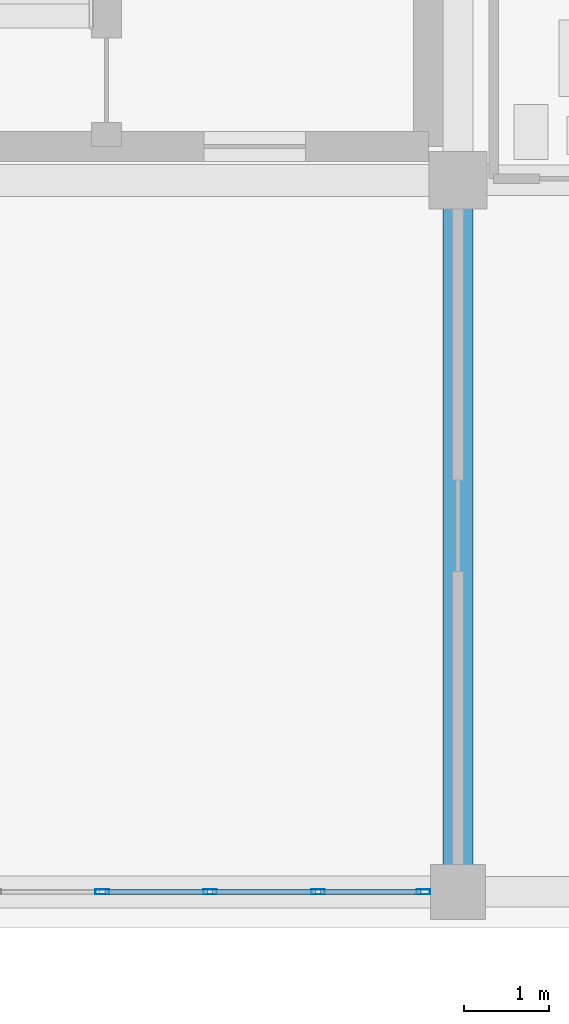
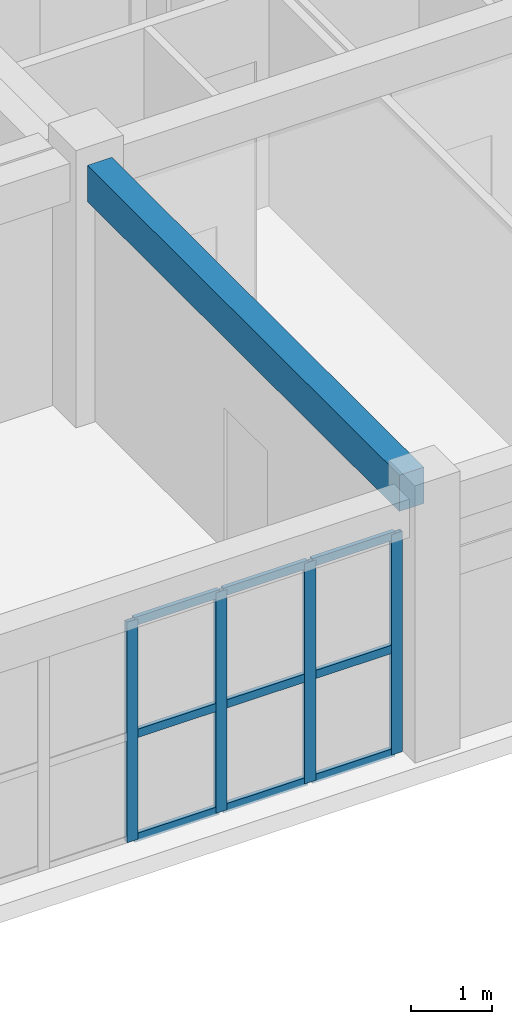
# One storey, part 23 of 90: 13 members, 1 beam, 1 element without a shape of its own.
"""IFC4 building model written with IfcOpenShell, lengths in metres."""

from ifc_helpers import new_model, si_unit, direction, frame, origin, origin_2d, place, context, subcontext, project, spatial, rectangle, hollow_rectangle, extrude, material, layer, layer_set, material_profile, profile_set, type_object, element, aggregate, save


model = new_model("IFC4")

# Units and contexts
model_context = context("Model", 3, precision=1e-05, world=origin(), true_north=direction((0.0, 1.0)))
body_context = subcontext(model_context, "Body", "Model", "MODEL_VIEW")
ifc_project = project(units=[si_unit("LENGTHUNIT", "METRE"), si_unit("AREAUNIT", "SQUARE_METRE"), si_unit("VOLUMEUNIT", "CUBIC_METRE"), si_unit("PLANEANGLEUNIT", "RADIAN"), si_unit("MASSUNIT", "GRAM", prefix="KILO")], contexts=[model_context])

# Site, building, storey
site_placement = place(None, origin())
site = spatial("IfcSite", under=ifc_project, at=site_placement, CompositionType="ELEMENT")
building_placement = place(site_placement, origin())
building = spatial("IfcBuilding", under=site, at=building_placement, Name="Trelvath General Hospital", CompositionType="ELEMENT")
storey_placement = place(building_placement, frame((0.0, 0.0, 20.39990234375)))
storey = spatial("IfcBuildingStorey", under=building, at=storey_placement, Name="L05", CompositionType="ELEMENT", Elevation=20.39990234375)

# Beam
ifc_material_1 = material(Name="Concrete C35/45", Category="concrete")
ifc_material_profile_1 = material_profile(ifc_material_1, rectangle(XDim=0.35009765625, YDim=0.550048828125, at=origin_2d()), Name="RCB350x550")
ifc_profile_set_1 = profile_set([ifc_material_profile_1], Name="Concrete C35/45")
beam_type = type_object("IfcBeamType", Name="Beam RC350x550", PredefinedType="BEAM", material=ifc_profile_set_1)
beam_placement = place(storey_placement, frame((100.800048828125, 0.320068359375, 3.64501953125), z_axis=(0.0, 1.0, 0.0), x_axis=(-1.0, 0.0, 0.0)))
element("IfcBeam", 1, at=beam_placement, inside=storey, type_object=beam_type, Name="Grid Beam BY-512A", PredefinedType="BEAM", context=body_context, shape_type="SweptSolid", body=[
    extrude(rectangle(XDim=0.35009765625, YDim=0.550048828125, at=origin_2d()), origin(), (0.0, 0.0, 1.0), 7.744873046875),
])

# Curtain wall, members
ifc_material_2 = material(Name="Anodised aluminium and low-E glass", Category="aluminium")
ifc_layer = layer(ifc_material_2, 0.14990234375)
ifc_layer_set = layer_set([ifc_layer], Name="Anodised aluminium and low-E glass")
curtain_wall_type = type_object("IfcCurtainWallType", Name="CW Facade 764 334 15", PredefinedType="USERDEFINED", material=ifc_layer_set)
curtain_wall_placement = place(storey_placement, origin())
curtain_wall = element("IfcCurtainWall", 2, at=curtain_wall_placement, inside=storey, type_object=curtain_wall_type, Name="Facade Curtain Wall CW-074", ObjectType="Unitised Glazed Curtain Wall", PredefinedType="USERDEFINED")
ifc_material_3 = material(Name="Anodised aluminium", Category="aluminium")
ifc_material_profile_2 = material_profile(ifc_material_3, hollow_rectangle(XDim=0.06005859375, YDim=0.159912109375, WallThickness=0.00390625, at=origin_2d()), Name="RHS60x160x4")
ifc_profile_set_2 = profile_set([ifc_material_profile_2], Name="Anodised aluminium")
member_type_1 = type_object("IfcMemberType", Name="CurtainMullion 60x160", PredefinedType="MULLION", material=ifc_profile_set_2)
member_1_placement = place(storey_placement, frame((100.389892578125, 0.0, 0.0), z_axis=(0.0, 0.0, 1.0), x_axis=(0.0, -1.0, 0.0)))
member_1 = element("IfcMember", 3, at=member_1_placement, type_object=member_type_1, Name="CW-074 mullion 1", PredefinedType="MULLION", context=body_context, shape_type="SweptSolid", body=[
    extrude(hollow_rectangle(XDim=0.06005859375, YDim=0.159912109375, WallThickness=0.00390625, at=origin_2d()), origin(), (0.0, 0.0, 1.0), 3.340087890625),
])
member_2_placement = place(storey_placement, frame((99.146728515625, 0.0, 0.0), z_axis=(0.0, 0.0, 1.0), x_axis=(0.0, -1.0, 0.0)))
member_2 = element("IfcMember", 4, at=member_2_placement, type_object=member_type_1, Name="CW-074 mullion 2", PredefinedType="MULLION", context=body_context, shape_type="SweptSolid", body=[
    extrude(hollow_rectangle(XDim=0.06005859375, YDim=0.159912109375, WallThickness=0.00390625, at=origin_2d()), origin(), (0.0, 0.0, 1.0), 3.340087890625),
])
member_3_placement = place(storey_placement, frame((97.873291015625, 0.0, 0.0), z_axis=(0.0, 0.0, 1.0), x_axis=(0.0, -1.0, 0.0)))
member_3 = element("IfcMember", 5, at=member_3_placement, type_object=member_type_1, Name="CW-074 mullion 3", PredefinedType="MULLION", context=body_context, shape_type="SweptSolid", body=[
    extrude(hollow_rectangle(XDim=0.06005859375, YDim=0.159912109375, WallThickness=0.00390625, at=origin_2d()), origin(), (0.0, 0.0, 1.0), 3.340087890625),
])
member_4_placement = place(storey_placement, frame((96.60009765625, 0.0, 0.0), z_axis=(0.0, 0.0, 1.0), x_axis=(0.0, -1.0, 0.0)))
member_4 = element("IfcMember", 6, at=member_4_placement, type_object=member_type_1, Name="CW-074 mullion 4", PredefinedType="MULLION", context=body_context, shape_type="SweptSolid", body=[
    extrude(hollow_rectangle(XDim=0.06005859375, YDim=0.159912109375, WallThickness=0.00390625, at=origin_2d()), origin(), (0.0, 0.0, 1.0), 3.340087890625),
])
ifc_material_4 = material(Name="Anodised aluminium", Category="aluminium")
ifc_material_profile_3 = material_profile(ifc_material_4, hollow_rectangle(XDim=0.06005859375, YDim=0.125, WallThickness=0.00390625, at=origin_2d()), Name="RHS60x125x4")
ifc_profile_set_3 = profile_set([ifc_material_profile_3], Name="Anodised aluminium")
member_type_2 = type_object("IfcMemberType", Name="CurtainTransom 60x125", PredefinedType="USERDEFINED", material=ifc_profile_set_3)
member_5_placement = place(storey_placement, frame((100.360107421875, 0.0, 0.030029296875), z_axis=(-1.0, 0.0, 0.0), x_axis=(0.0, -1.0, 0.0)))
member_5 = element("IfcMember", 7, at=member_5_placement, type_object=member_type_2, Name="CW-074 transom 1.1", ObjectType="TRANSOM", PredefinedType="USERDEFINED", context=body_context, shape_type="SweptSolid", body=[
    extrude(hollow_rectangle(XDim=0.06005859375, YDim=0.125, WallThickness=0.00390625, at=origin_2d()), origin(), (0.0, 0.0, 1.0), 1.183349609375),
])
member_6_placement = place(storey_placement, frame((100.360107421875, 0.0, 1.60302734375), z_axis=(-1.0, 0.0, 0.0), x_axis=(0.0, -1.0, 0.0)))
member_6 = element("IfcMember", 8, at=member_6_placement, type_object=member_type_2, Name="CW-074 transom 1.2", ObjectType="TRANSOM", PredefinedType="USERDEFINED", context=body_context, shape_type="SweptSolid", body=[
    extrude(hollow_rectangle(XDim=0.06005859375, YDim=0.125, WallThickness=0.00390625, at=origin_2d()), origin(), (0.0, 0.0, 1.0), 1.183349609375),
])
member_7_placement = place(storey_placement, frame((100.360107421875, 0.0, 3.31005859375), z_axis=(-1.0, 0.0, 0.0), x_axis=(0.0, -1.0, 0.0)))
member_7 = element("IfcMember", 9, at=member_7_placement, type_object=member_type_2, Name="CW-074 transom 1.3", ObjectType="TRANSOM", PredefinedType="USERDEFINED", context=body_context, shape_type="SweptSolid", body=[
    extrude(hollow_rectangle(XDim=0.06005859375, YDim=0.125, WallThickness=0.00390625, at=origin_2d()), origin(), (0.0, 0.0, 1.0), 1.183349609375),
])
member_8_placement = place(storey_placement, frame((99.11669921875, 0.0, 0.030029296875), z_axis=(-1.0, 0.0, 0.0), x_axis=(0.0, -1.0, 0.0)))
member_8 = element("IfcMember", 10, at=member_8_placement, type_object=member_type_2, Name="CW-074 transom 2.1", ObjectType="TRANSOM", PredefinedType="USERDEFINED", context=body_context, shape_type="SweptSolid", body=[
    extrude(hollow_rectangle(XDim=0.06005859375, YDim=0.125, WallThickness=0.00390625, at=origin_2d()), origin(), (0.0, 0.0, 1.0), 1.21337890625),
])
member_9_placement = place(storey_placement, frame((99.11669921875, 0.0, 1.60302734375), z_axis=(-1.0, 0.0, 0.0), x_axis=(0.0, -1.0, 0.0)))
member_9 = element("IfcMember", 11, at=member_9_placement, type_object=member_type_2, Name="CW-074 transom 2.2", ObjectType="TRANSOM", PredefinedType="USERDEFINED", context=body_context, shape_type="SweptSolid", body=[
    extrude(hollow_rectangle(XDim=0.06005859375, YDim=0.125, WallThickness=0.00390625, at=origin_2d()), origin(), (0.0, 0.0, 1.0), 1.21337890625),
])
member_10_placement = place(storey_placement, frame((99.11669921875, 0.0, 3.31005859375), z_axis=(-1.0, 0.0, 0.0), x_axis=(0.0, -1.0, 0.0)))
member_10 = element("IfcMember", 12, at=member_10_placement, type_object=member_type_2, Name="CW-074 transom 2.3", ObjectType="TRANSOM", PredefinedType="USERDEFINED", context=body_context, shape_type="SweptSolid", body=[
    extrude(hollow_rectangle(XDim=0.06005859375, YDim=0.125, WallThickness=0.00390625, at=origin_2d()), origin(), (0.0, 0.0, 1.0), 1.21337890625),
])
member_11_placement = place(storey_placement, frame((97.84326171875, 0.0, 0.030029296875), z_axis=(-1.0, 0.0, 0.0), x_axis=(0.0, -1.0, 0.0)))
member_11 = element("IfcMember", 13, at=member_11_placement, type_object=member_type_2, Name="CW-074 transom 3.1", ObjectType="TRANSOM", PredefinedType="USERDEFINED", context=body_context, shape_type="SweptSolid", body=[
    extrude(hollow_rectangle(XDim=0.06005859375, YDim=0.125, WallThickness=0.00390625, at=origin_2d()), origin(), (0.0, 0.0, 1.0), 1.21337890625),
])
member_12_placement = place(storey_placement, frame((97.84326171875, 0.0, 1.60302734375), z_axis=(-1.0, 0.0, 0.0), x_axis=(0.0, -1.0, 0.0)))
member_12 = element("IfcMember", 14, at=member_12_placement, type_object=member_type_2, Name="CW-074 transom 3.2", ObjectType="TRANSOM", PredefinedType="USERDEFINED", context=body_context, shape_type="SweptSolid", body=[
    extrude(hollow_rectangle(XDim=0.06005859375, YDim=0.125, WallThickness=0.00390625, at=origin_2d()), origin(), (0.0, 0.0, 1.0), 1.21337890625),
])
member_13_placement = place(storey_placement, frame((97.84326171875, 0.0, 3.31005859375), z_axis=(-1.0, 0.0, 0.0), x_axis=(0.0, -1.0, 0.0)))
member_13 = element("IfcMember", 15, at=member_13_placement, type_object=member_type_2, Name="CW-074 transom 3.3", ObjectType="TRANSOM", PredefinedType="USERDEFINED", context=body_context, shape_type="SweptSolid", body=[
    extrude(hollow_rectangle(XDim=0.06005859375, YDim=0.125, WallThickness=0.00390625, at=origin_2d()), origin(), (0.0, 0.0, 1.0), 1.21337890625),
])
aggregate(curtain_wall, [member_1, member_2, member_3, member_4, member_5, member_6, member_7, member_8, member_9, member_10, member_11, member_12, member_13])

save(model, "model.ifc")
